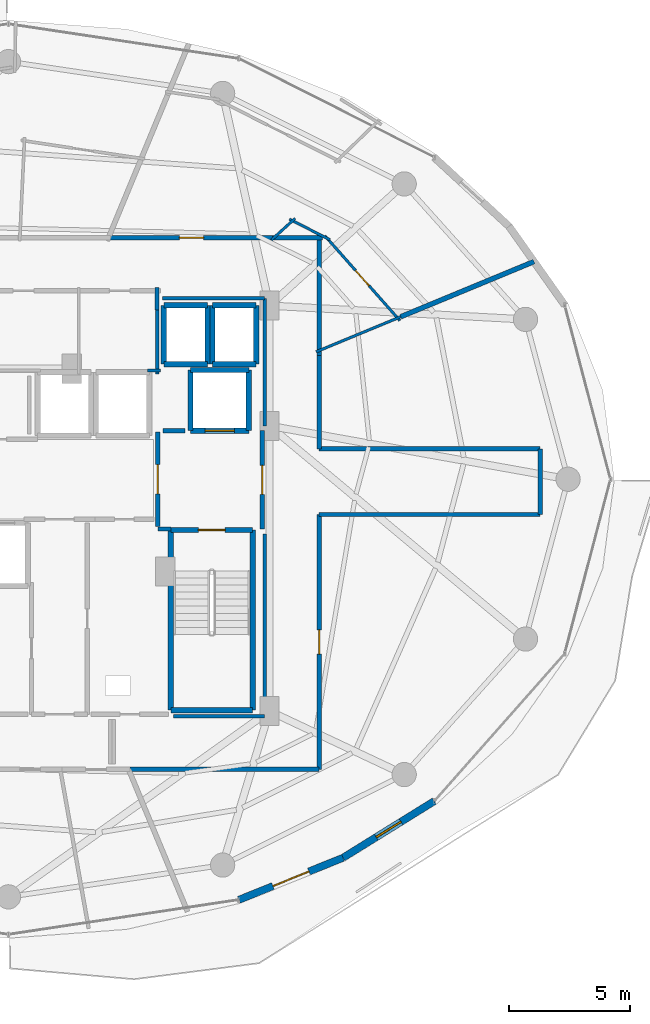
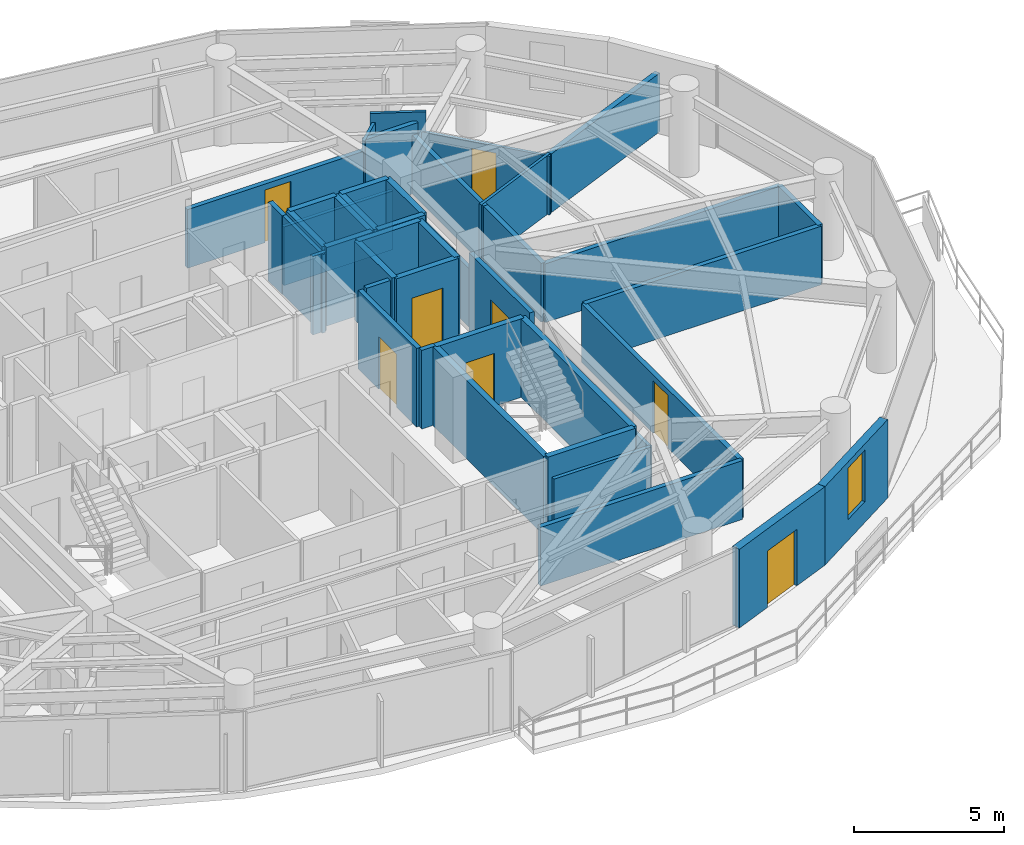
# One storey, part 24 of 29: 43 walls, 8 doors, 1 window, 9 openings.
"""IFC4 building model written with IfcOpenShell, lengths in metres."""

from ifc_helpers import new_model, si_unit, direction, frame, frame_2d, origin, place, context, subcontext, project, spatial, rectangle, extrude, material, layer, layer_set, type_object, element, fill, save


model = new_model("IFC4")

# Units and contexts
model_context = context("Model", 3, precision=1e-05, world=origin(), true_north=direction((0.0, 1.0)))
body_context = subcontext(model_context, "Body", "Model", "MODEL_VIEW")
ifc_project = project(units=[si_unit("LENGTHUNIT", "METRE"), si_unit("AREAUNIT", "SQUARE_METRE"), si_unit("VOLUMEUNIT", "CUBIC_METRE"), si_unit("PLANEANGLEUNIT", "RADIAN"), si_unit("MASSUNIT", "GRAM", prefix="KILO")], contexts=[model_context])

# Site, building, storey
site_placement = place(None, origin())
site = spatial("IfcSite", under=ifc_project, at=site_placement, CompositionType="ELEMENT")
building_placement = place(site_placement, origin())
building = spatial("IfcBuilding", under=site, at=building_placement, Name="Vorneva Point Tower", CompositionType="ELEMENT")
storey_placement = place(building_placement, frame((0.0, 0.0, 171.10009765625)))
storey = spatial("IfcBuildingStorey", under=building, at=storey_placement, Name="L46", CompositionType="ELEMENT", Elevation=171.10009765625)

# Wall, opening, door
ifc_material_1 = material(Name="Concrete B60 (C50/60)", Category="concrete")
ifc_layer_1 = layer(ifc_material_1, 0.5)
ifc_layer_set_1 = layer_set([ifc_layer_1], Name="Concrete B60 (C50/60)")
wall_type_1 = type_object("IfcWallType", Name="WL-CORE-500", PredefinedType="SHEAR", material=ifc_layer_set_1)
wall_1_placement = place(storey_placement, frame((45.5, 28.0, 0.0), z_axis=(0.0, 0.0, 1.0), x_axis=(1.0, 0.0, 0.0)))
wall_1 = element("IfcWall", 1, at=wall_1_placement, inside=storey, type_object=wall_type_1, Name="L46 Lift FFL2 Shaft Wall -Y", PredefinedType="SHEAR", context=body_context, shape_type="SweptSolid", body=[
    extrude(rectangle(XDim=2.39990234375, YDim=0.219970703125, at=frame_2d((1.199951171875, 0.0))), origin(), (0.0, 0.0, 1.0), 3.199951171875),
])
opening_1_placement = place(wall_1_placement, frame((0.60009765625, 0.0, 0.0)))
opening_1 = element("IfcOpeningElement", 2, at=opening_1_placement, cuts=wall_1, Name="Opening LD-02", PredefinedType="OPENING", context=body_context, shape_type="SweptSolid", body=[
    extrude(rectangle(XDim=1.199951171875, YDim=2.199951171875, at=frame_2d((0.60009765625, 1.10009765625))), frame((0.0, 0.125, 0.0), z_axis=(0.0, -1.0, 0.0), x_axis=(1.0, 0.0, 0.0)), (0.0, 0.0, 1.0), 0.249755859375),
])
ifc_material_2 = material(Name="Brushed stainless steel S304", Category="steel")
door_type_1 = type_object("IfcDoorType", Name="LD-FIRE-1200", OperationType="SLIDING_TO_LEFT", PredefinedType="DOOR", material=ifc_material_2)
door_1_placement = place(opening_1_placement, origin())
door_1 = element("IfcDoor", 3, at=door_1_placement, inside=storey, type_object=door_type_1, Name="L46 Lift FFL2 Sliding Landing Door", OperationType="SLIDING_TO_LEFT", OverallHeight=2.199951171875, OverallWidth=1.199951171875, PredefinedType="DOOR", context=body_context, shape_type="SweptSolid", body=[
    extrude(rectangle(XDim=1.199951171875, YDim=2.199951171875, at=frame_2d((0.60009765625, 1.10009765625))), frame((0.0, 0.02490234375, 0.0), z_axis=(0.0, -1.0, 0.0), x_axis=(1.0, 0.0, 0.0)), (0.0, 0.0, 1.0), 0.050048828125),
])
fill(opening_1, door_1)

# Walls
wall_2_placement = place(storey_placement, frame((47.89990234375, 28.0, 0.0), z_axis=(0.0, 0.0, 1.0), x_axis=(0.0, 1.0, 0.0)))
element("IfcWall", 4, at=wall_2_placement, inside=storey, type_object=wall_type_1, Name="L46 Lift FFL2 Shaft Wall +X", PredefinedType="SHEAR", context=body_context, shape_type="SweptSolid", body=[
    extrude(rectangle(XDim=2.5, YDim=0.219970703125, at=frame_2d((1.25, 0.0))), origin(), (0.0, 0.0, 1.0), 3.199951171875),
])
wall_3_placement = place(storey_placement, frame((47.89990234375, 30.5, 0.0), z_axis=(0.0, 0.0, 1.0), x_axis=(-1.0, 0.0, 0.0)))
element("IfcWall", 5, at=wall_3_placement, inside=storey, type_object=wall_type_1, Name="L46 Lift FFL2 Shaft Wall +Y", PredefinedType="SHEAR", context=body_context, shape_type="SweptSolid", body=[
    extrude(rectangle(XDim=2.39990234375, YDim=0.219970703125, at=frame_2d((1.199951171875, 0.0))), origin(), (0.0, 0.0, 1.0), 3.199951171875),
])
wall_4_placement = place(storey_placement, frame((45.5, 30.5, 0.0), z_axis=(0.0, 0.0, 1.0), x_axis=(0.0, -1.0, 0.0)))
element("IfcWall", 6, at=wall_4_placement, inside=storey, type_object=wall_type_1, Name="L46 Lift FFL2 Shaft Wall -X", PredefinedType="SHEAR", context=body_context, shape_type="SweptSolid", body=[
    extrude(rectangle(XDim=2.5, YDim=0.219970703125, at=frame_2d((1.25, 0.0))), origin(), (0.0, 0.0, 1.0), 3.199951171875),
])

# Wall, opening, door
ifc_material_3 = material(Name="Precast concrete B50 (C40/50)", Category="concrete")
ifc_layer_2 = layer(ifc_material_3, 0.300048828125)
ifc_layer_set_2 = layer_set([ifc_layer_2], Name="Precast concrete B50 (C40/50)")
wall_type_2 = type_object("IfcWallType", Name="WL-EXT-300", PredefinedType="STANDARD", material=ifc_layer_set_2)
wall_5_placement = place(storey_placement, frame((47.490478515625, 8.67724609375, 0.0), z_axis=(0.0, 0.0, 1.0), x_axis=(0.927156504392, 0.374674280359, 0.0)))
wall_5 = element("IfcWall", 7, at=wall_5_placement, inside=storey, type_object=wall_type_2, Name="L46 Pale-Metal Facade Spandrel Wall 14.1", PredefinedType="STANDARD", context=body_context, shape_type="SweptSolid", body=[
    extrude(rectangle(XDim=4.62451171875, YDim=0.300048828125, at=frame_2d((2.312255859375, 0.0))), origin(), (0.0, 0.0, 1.0), 3.199951171875),
])
opening_2_placement = place(wall_5_placement, frame((1.51220703125, 0.0, 0.0)))
opening_2 = element("IfcOpeningElement", 8, at=opening_2_placement, cuts=wall_5, Name="Opening BD-01", PredefinedType="OPENING", context=body_context, shape_type="SweptSolid", body=[
    extrude(rectangle(XDim=1.60009765625, YDim=2.300048828125, at=frame_2d((0.800048828125, 1.14990234375))), frame((0.0, 0.1650390625, 0.0), z_axis=(0.0, -1.0, 0.0), x_axis=(1.0, 0.0, 0.0)), (0.0, 0.0, 1.0), 0.329833984375),
])
ifc_material_4 = material(Name="Pale anodised aluminium", Category="aluminium")
door_type_2 = type_object("IfcDoorType", Name="DR-BAL-1600", OperationType="SLIDING_TO_LEFT", PredefinedType="DOOR", material=ifc_material_4)
door_2_placement = place(opening_2_placement, origin())
door_2 = element("IfcDoor", 9, at=door_2_placement, inside=storey, type_object=door_type_2, Name="L46 Balcony Terrace Access Door 14", OperationType="SLIDING_TO_LEFT", OverallHeight=2.300048828125, OverallWidth=1.60009765625, PredefinedType="DOOR", context=body_context, shape_type="SweptSolid", body=[
    extrude(rectangle(XDim=1.60009765625, YDim=2.300048828125, at=frame_2d((0.800048828125, 1.14990234375))), frame((0.0, 0.02490234375, 0.0), z_axis=(0.0, -1.0, 0.0), x_axis=(1.0, 0.0, 0.0)), (0.0, 0.0, 1.0), 0.050048828125),
])
fill(opening_2, door_2)

# Wall, opening, window
wall_6_placement = place(storey_placement, frame((51.778076171875, 10.409912109375, 0.0), z_axis=(0.0, 0.0, 1.0), x_axis=(0.849721181976, 0.527232313977, 0.0)))
wall_6 = element("IfcWall", 10, at=wall_6_placement, inside=storey, type_object=wall_type_2, Name="L46 Pale-Metal Facade Spandrel Wall 14.2", PredefinedType="STANDARD", context=body_context, shape_type="SweptSolid", body=[
    extrude(rectangle(XDim=4.422607421875, YDim=0.300048828125, at=frame_2d((2.21142578125, 0.0))), origin(), (0.0, 0.0, 1.0), 3.199951171875),
])
opening_3_placement = place(wall_6_placement, frame((1.611328125, 0.0, 0.85009765625)))
opening_3 = element("IfcOpeningElement", 11, at=opening_3_placement, cuts=wall_6, Name="Opening W-04", PredefinedType="OPENING", context=body_context, shape_type="SweptSolid", body=[
    extrude(rectangle(XDim=1.199951171875, YDim=2.10009765625, at=frame_2d((0.60009765625, 1.050048828125))), frame((0.0, 0.1650390625, 0.0), z_axis=(0.0, -1.0, 0.0), x_axis=(1.0, 0.0, 0.0)), (0.0, 0.0, 1.0), 0.329833984375),
])
ifc_material_5 = material(Name="Double low-e laminated glass IGU", Category="glass")
window_type = type_object("IfcWindowType", Name="WN-RES-1200", PartitioningType="SINGLE_PANEL", PredefinedType="WINDOW", material=ifc_material_5)
window_placement = place(opening_3_placement, origin())
window = element("IfcWindow", 12, at=window_placement, inside=storey, type_object=window_type, Name="L46 Facade Window 14", OverallHeight=2.10009765625, OverallWidth=1.199951171875, PartitioningType="SINGLE_PANEL", PredefinedType="WINDOW", context=body_context, shape_type="SweptSolid", body=[
    extrude(rectangle(XDim=1.199951171875, YDim=2.10009765625, at=frame_2d((0.60009765625, 1.050048828125))), frame((0.0, 0.030029296875, 0.0), z_axis=(0.0, -1.0, 0.0), x_axis=(1.0, 0.0, 0.0)), (0.0, 0.0, 1.0), 0.06005859375),
])
fill(opening_3, window)

# Walls
ifc_material_6 = material(Name="Fire-rated acoustic gypsum stud partition", Category="gypsum")
ifc_layer_3 = layer(ifc_material_6, 0.110107421875)
ifc_layer_set_3 = layer_set([ifc_layer_3], Name="Fire-rated acoustic gypsum stud partition")
wall_type_3 = type_object("IfcWallType", Name="WL-PART-110", PredefinedType="PARTITIONING", material=ifc_layer_set_3)
wall_7_placement = place(storey_placement, frame((48.831298828125, 35.855712890625, 0.0), z_axis=(0.0, 0.0, 1.0), x_axis=(0.739696022243, 0.672941152463, 0.0)))
element("IfcWall", 13, at=wall_7_placement, inside=storey, type_object=wall_type_3, Name="L46 Interior Partition 058", PredefinedType="PARTITIONING", context=body_context, shape_type="SweptSolid", body=[
    extrude(rectangle(XDim=1.31298828125, YDim=0.110107421875, at=frame_2d((0.656494140625, 0.0))), origin(), (0.0, 0.0, 1.0), 2.833984375),
])
wall_8_placement = place(storey_placement, frame((49.573974609375, 36.7080078125, 0.0), z_axis=(0.0, 0.0, 1.0), x_axis=(0.8925722309, -0.450904438464, 0.0)))
element("IfcWall", 14, at=wall_8_placement, inside=storey, type_object=wall_type_3, Name="L46 Interior Partition 059", PredefinedType="PARTITIONING", context=body_context, shape_type="SweptSolid", body=[
    extrude(rectangle(XDim=1.876708984375, YDim=0.110107421875, at=frame_2d((0.9384765625, 0.0))), origin(), (0.0, 0.0, 1.0), 3.199951171875),
])

# Wall, opening, door
wall_9_placement = place(storey_placement, frame((51.03125, 36.02978515625, 0.0), z_axis=(0.0, 0.0, 1.0), x_axis=(0.662223763999, -0.749306136632, 0.0)))
wall_9 = element("IfcWall", 15, at=wall_9_placement, inside=storey, type_object=wall_type_3, Name="L46 Interior Partition 060", PredefinedType="PARTITIONING", context=body_context, shape_type="SweptSolid", body=[
    extrude(rectangle(XDim=4.6650390625, YDim=0.110107421875, at=frame_2d((2.33251953125, 0.0))), origin(), (0.0, 0.0, 1.0), 2.391845703125),
])
opening_4_placement = place(wall_9_placement, frame((1.90771484375, 0.0, 0.0)))
opening_4 = element("IfcOpeningElement", 16, at=opening_4_placement, cuts=wall_9, Name="Opening ID-02", PredefinedType="OPENING", context=body_context, shape_type="SweptSolid", body=[
    extrude(rectangle(XDim=0.85009765625, YDim=2.10009765625, at=frame_2d((0.425048828125, 1.050048828125))), frame((0.0, 0.06982421875, 0.0), z_axis=(0.0, -1.0, 0.0), x_axis=(1.0, 0.0, 0.0)), (0.0, 0.0, 1.0), 0.139892578125),
])
ifc_material_7 = material(Name="Engineered oak fire-rated door leaf", Category="wood")
door_type_3 = type_object("IfcDoorType", Name="DR-BATH-850", OperationType="NOTDEFINED", PredefinedType="DOOR", material=ifc_material_7)
door_3_placement = place(opening_4_placement, origin())
door_3 = element("IfcDoor", 17, at=door_3_placement, inside=storey, type_object=door_type_3, Name="L46 Door Studio Apartment L46-01 / Bathroom L46-01", OperationType="SINGLE_SWING_RIGHT", OverallHeight=2.10009765625, OverallWidth=0.85009765625, PredefinedType="DOOR", context=body_context, shape_type="SweptSolid", body=[
    extrude(rectangle(XDim=0.85009765625, YDim=2.10009765625, at=frame_2d((0.425048828125, 1.050048828125))), frame((0.0, 0.02490234375, 0.0), z_axis=(0.0, -1.0, 0.0), x_axis=(1.0, 0.0, 0.0)), (0.0, 0.0, 1.0), 0.050048828125),
])
fill(opening_4, door_3)

# Walls
wall_10_placement = place(storey_placement, frame((54.1572265625, 32.692626953125, 0.0), z_axis=(0.0, 0.0, 1.0), x_axis=(-0.923865440054, -0.382717452795, 0.0)))
element("IfcWall", 18, at=wall_10_placement, inside=storey, type_object=wall_type_3, Name="L46 Interior Partition 061", PredefinedType="PARTITIONING", context=body_context, shape_type="SweptSolid", body=[
    extrude(rectangle(XDim=3.77392578125, YDim=0.110107421875, at=frame_2d((1.886962890625, 0.0))), origin(), (0.0, 0.0, 1.0), 2.391845703125),
])
ifc_layer_4 = layer(ifc_material_6, 0.139892578125)
ifc_layer_set_4 = layer_set([ifc_layer_4], Name="Fire-rated acoustic gypsum stud partition")
wall_type_4 = type_object("IfcWallType", Name="WL-PART-140", PredefinedType="PARTITIONING", material=ifc_layer_set_4)
wall_11_placement = place(storey_placement, frame((43.735107421875, 30.47998046875, 0.0), z_axis=(0.0, 0.0, 1.0), x_axis=(1.0, 0.0, 0.0)))
element("IfcWall", 19, at=wall_11_placement, inside=storey, type_object=wall_type_4, Name="L46 Interior Closure Partition 115", PredefinedType="PARTITIONING", context=body_context, shape_type="SweptSolid", body=[
    extrude(rectangle(XDim=0.52490234375, YDim=0.139892578125, at=frame_2d((0.262451171875, 0.0))), origin(), (0.0, 0.0, 1.0), 3.199951171875),
])
wall_12_placement = place(storey_placement, frame((44.1201171875, 30.340087890625, 0.0), z_axis=(0.0, 0.0, 1.0), x_axis=(0.0, 1.0, 0.0)))
element("IfcWall", 20, at=wall_12_placement, inside=storey, type_object=wall_type_4, Name="L46 Interior Closure Partition 116", PredefinedType="PARTITIONING", context=body_context, shape_type="SweptSolid", body=[
    extrude(rectangle(XDim=2.659912109375, YDim=0.139892578125, at=frame_2d((1.330078125, 0.0))), origin(), (0.0, 0.0, 1.0), 3.199951171875),
])
wall_13_placement = place(storey_placement, frame((48.550048828125, 16.239990234375, 0.0), z_axis=(0.0, 0.0, 1.0), x_axis=(0.0, 1.0, 0.0)))
element("IfcWall", 21, at=wall_13_placement, inside=storey, type_object=wall_type_4, Name="L46 Interior Closure Partition 123", PredefinedType="PARTITIONING", context=body_context, shape_type="SweptSolid", body=[
    extrude(rectangle(XDim=7.513916015625, YDim=0.139892578125, at=frame_2d((3.7568359375, 0.0))), origin(), (0.0, 0.0, 1.0), 2.391845703125),
])
wall_14_placement = place(storey_placement, frame((48.550048828125, 28.196044921875, 0.0), z_axis=(0.0, 0.0, 1.0), x_axis=(0.0, 1.0, 0.0)))
element("IfcWall", 22, at=wall_14_placement, inside=storey, type_object=wall_type_4, Name="L46 Interior Closure Partition 124", PredefinedType="PARTITIONING", context=body_context, shape_type="SweptSolid", body=[
    extrude(rectangle(XDim=5.25390625, YDim=0.139892578125, at=frame_2d((2.626953125, 0.0))), origin(), (0.0, 0.0, 1.0), 2.391845703125),
])
wall_15_placement = place(storey_placement, frame((48.550048828125, 33.449951171875, 0.0), z_axis=(0.0, 0.0, 1.0), x_axis=(-1.0, 0.0, 0.0)))
element("IfcWall", 23, at=wall_15_placement, inside=storey, type_object=wall_type_4, Name="L46 Interior Closure Partition 125", PredefinedType="PARTITIONING", context=body_context, shape_type="SweptSolid", body=[
    extrude(rectangle(XDim=4.2099609375, YDim=0.139892578125, at=frame_2d((2.10498046875, 0.0))), origin(), (0.0, 0.0, 1.0), 2.391845703125),
])
wall_16_placement = place(storey_placement, frame((44.804931640625, 16.239990234375, 0.0), z_axis=(0.0, 0.0, 1.0), x_axis=(1.0, 0.0, 0.0)))
element("IfcWall", 24, at=wall_16_placement, inside=storey, type_object=wall_type_4, Name="L46 Interior Closure Partition 133", PredefinedType="PARTITIONING", context=body_context, shape_type="SweptSolid", body=[
    extrude(rectangle(XDim=3.7451171875, YDim=0.139892578125, at=frame_2d((1.87255859375, 0.0))), origin(), (0.0, 0.0, 1.0), 2.391845703125),
])

# Wall, opening, door
ifc_material_8 = material(Name="Autoclaved aerated concrete blockwork", Category="masonry")
ifc_layer_5 = layer(ifc_material_8, 0.179931640625)
ifc_layer_set_5 = layer_set([ifc_layer_5], Name="Autoclaved aerated concrete blockwork")
wall_type_5 = type_object("IfcWallType", Name="WL-PART-180", PredefinedType="PARTITIONING", material=ifc_layer_set_5)
wall_17_placement = place(storey_placement, frame((44.14990234375, 27.955078125, 0.0), z_axis=(0.0, 0.0, 1.0), x_axis=(0.0, -1.0, 0.0)))
wall_17 = element("IfcWall", 25, at=wall_17_placement, inside=storey, type_object=wall_type_5, Name="L46 Interior Partition 003", PredefinedType="PARTITIONING", context=body_context, shape_type="SweptSolid", body=[
    extrude(rectangle(XDim=3.91015625, YDim=0.179931640625, at=frame_2d((1.955078125, 0.0))), origin(), (0.0, 0.0, 1.0), 3.199951171875),
])
opening_5_placement = place(wall_17_placement, frame((1.35498046875, 0.0, 0.0)))
opening_5 = element("IfcOpeningElement", 26, at=opening_5_placement, cuts=wall_17, Name="Opening FD-02", PredefinedType="OPENING", context=body_context, shape_type="SweptSolid", body=[
    extrude(rectangle(XDim=1.199951171875, YDim=2.14990234375, at=frame_2d((0.60009765625, 1.074951171875))), frame((0.0, 0.10498046875, 0.0), z_axis=(0.0, -1.0, 0.0), x_axis=(1.0, 0.0, 0.0)), (0.0, 0.0, 1.0), 0.209716796875),
])
ifc_material_9 = material(Name="Fire-rated powder-coated steel", Category="steel")
door_type_4 = type_object("IfcDoorType", Name="DR-FFL-1200", OperationType="NOTDEFINED", PredefinedType="DOOR", material=ifc_material_9)
door_4_placement = place(opening_5_placement, origin())
door_4 = element("IfcDoor", 27, at=door_4_placement, inside=storey, type_object=door_type_4, Name="L46 Door East Firefighting Lobby / Central Lift Lobby", OperationType="SINGLE_SWING_RIGHT", OverallHeight=2.14990234375, OverallWidth=1.199951171875, PredefinedType="DOOR", context=body_context, shape_type="SweptSolid", body=[
    extrude(rectangle(XDim=1.199951171875, YDim=2.14990234375, at=frame_2d((0.60009765625, 1.074951171875))), frame((0.0, 0.02490234375, 0.0), z_axis=(0.0, -1.0, 0.0), x_axis=(1.0, 0.0, 0.0)), (0.0, 0.0, 1.0), 0.050048828125),
])
fill(opening_5, door_4)

# Wall
wall_18_placement = place(storey_placement, frame((44.14990234375, 23.949951171875, 0.0), z_axis=(0.0, 0.0, 1.0), x_axis=(1.0, 0.0, 0.0)))
element("IfcWall", 28, at=wall_18_placement, inside=storey, type_object=wall_type_5, Name="L46 Interior Partition 004", PredefinedType="PARTITIONING", context=body_context, shape_type="SweptSolid", body=[
    extrude(rectangle(XDim=0.5400390625, YDim=0.179931640625, at=frame_2d((0.27001953125, 0.0))), origin(), (0.0, 0.0, 1.0), 3.199951171875),
])

# Wall, opening, door
wall_19_placement = place(storey_placement, frame((48.449951171875, 23.949951171875, 0.0), z_axis=(0.0, 0.0, 1.0), x_axis=(0.0, 1.0, 0.0)))
wall_19 = element("IfcWall", 29, at=wall_19_placement, inside=storey, type_object=wall_type_5, Name="L46 Interior Partition 005", PredefinedType="PARTITIONING", context=body_context, shape_type="SweptSolid", body=[
    extrude(rectangle(XDim=4.050048828125, YDim=0.179931640625, at=frame_2d((2.02490234375, 0.0))), origin(), (0.0, 0.0, 1.0), 3.199951171875),
])
opening_6_placement = place(wall_19_placement, frame((1.425048828125, 0.0, 0.0)))
opening_6 = element("IfcOpeningElement", 30, at=opening_6_placement, cuts=wall_19, Name="Opening FD-02", PredefinedType="OPENING", context=body_context, shape_type="SweptSolid", body=[
    extrude(rectangle(XDim=1.199951171875, YDim=2.14990234375, at=frame_2d((0.60009765625, 1.074951171875))), frame((0.0, 0.10498046875, 0.0), z_axis=(0.0, -1.0, 0.0), x_axis=(1.0, 0.0, 0.0)), (0.0, 0.0, 1.0), 0.209716796875),
])
door_5_placement = place(opening_6_placement, origin())
door_5 = element("IfcDoor", 31, at=door_5_placement, inside=storey, type_object=door_type_4, Name="L46 Door East Firefighting Lobby / L46 Circulation Corridor", OperationType="SINGLE_SWING_LEFT", OverallHeight=2.14990234375, OverallWidth=1.199951171875, PredefinedType="DOOR", context=body_context, shape_type="SweptSolid", body=[
    extrude(rectangle(XDim=1.199951171875, YDim=2.14990234375, at=frame_2d((0.60009765625, 1.074951171875))), frame((0.0, 0.02490234375, 0.0), z_axis=(0.0, -1.0, 0.0), x_axis=(1.0, 0.0, 0.0)), (0.0, 0.0, 1.0), 0.050048828125),
])
fill(opening_6, door_5)

# Wall
wall_20_placement = place(storey_placement, frame((44.1201171875, 32.969970703125, 0.0), z_axis=(0.0, 0.0, 1.0), x_axis=(0.0, 1.0, 0.0)))
element("IfcWall", 32, at=wall_20_placement, inside=storey, type_object=wall_type_5, Name="L46 Interior Partition 025", PredefinedType="PARTITIONING", context=body_context, shape_type="SweptSolid", body=[
    extrude(rectangle(XDim=0.929931640625, YDim=0.179931640625, at=frame_2d((0.46484375, 0.0))), origin(), (0.0, 0.0, 1.0), 3.199951171875),
])

# Wall, opening, door
wall_21_placement = place(storey_placement, frame((49.02392578125, 35.949951171875, 0.0), z_axis=(0.0, 0.0, 1.0), x_axis=(-1.0, 0.0, 0.0)))
wall_21 = element("IfcWall", 33, at=wall_21_placement, inside=storey, type_object=wall_type_5, Name="L46 Interior Partition 029", PredefinedType="PARTITIONING", context=body_context, shape_type="SweptSolid", body=[
    extrude(rectangle(XDim=6.962890625, YDim=0.179931640625, at=frame_2d((3.4814453125, 0.0))), origin(), (0.0, 0.0, 1.0), 2.391845703125),
])
opening_7_placement = place(wall_21_placement, frame((2.9814453125, 0.0, 0.0)))
opening_7 = element("IfcOpeningElement", 34, at=opening_7_placement, cuts=wall_21, Name="Opening UD-01", PredefinedType="OPENING", context=body_context, shape_type="SweptSolid", body=[
    extrude(rectangle(XDim=1.0, YDim=2.14990234375, at=frame_2d((0.5, 1.074951171875))), frame((0.0, 0.10498046875, 0.0), z_axis=(0.0, -1.0, 0.0), x_axis=(1.0, 0.0, 0.0)), (0.0, 0.0, 1.0), 0.209716796875),
])
door_type_5 = type_object("IfcDoorType", Name="DR-UNIT-1000", OperationType="NOTDEFINED", PredefinedType="DOOR", material=ifc_material_7)
door_6_placement = place(opening_7_placement, origin())
door_6 = element("IfcDoor", 35, at=door_6_placement, inside=storey, type_object=door_type_5, Name="L46 Door L46 Circulation Corridor / Studio Apartment L46-01", OperationType="SINGLE_SWING_RIGHT", OverallHeight=2.14990234375, OverallWidth=1.0, PredefinedType="DOOR", context=body_context, shape_type="SweptSolid", body=[
    extrude(rectangle(XDim=1.0, YDim=2.14990234375, at=frame_2d((0.5, 1.074951171875))), frame((0.0, 0.02490234375, 0.0), z_axis=(0.0, -1.0, 0.0), x_axis=(1.0, 0.0, 0.0)), (0.0, 0.0, 1.0), 0.050048828125),
])
fill(opening_7, door_6)

# Walls
wall_22_placement = place(storey_placement, frame((50.800048828125, 31.10205078125, 0.0), z_axis=(0.0, 0.0, 1.0), x_axis=(0.0, 1.0, 0.0)))
element("IfcWall", 36, at=wall_22_placement, inside=storey, type_object=wall_type_5, Name="L46 Interior Partition 030", PredefinedType="PARTITIONING", context=body_context, shape_type="SweptSolid", body=[
    extrude(rectangle(XDim=4.988037109375, YDim=0.179931640625, at=frame_2d((2.494140625, 0.0))), origin(), (0.0, 0.0, 1.0), 2.391845703125),
])
wall_23_placement = place(storey_placement, frame((50.93994140625, 35.949951171875, 0.0), z_axis=(0.0, 0.0, 1.0), x_axis=(-1.0, 0.0, 0.0)))
element("IfcWall", 37, at=wall_23_placement, inside=storey, type_object=wall_type_5, Name="L46 Interior Partition 031", PredefinedType="PARTITIONING", context=body_context, shape_type="SweptSolid", body=[
    extrude(rectangle(XDim=2.055908203125, YDim=0.179931640625, at=frame_2d((1.02783203125, 0.0))), origin(), (0.0, 0.0, 1.0), 2.833984375),
])
wall_24_placement = place(storey_placement, frame((43.014892578125, 14.050048828125, 0.0), z_axis=(0.0, 0.0, 1.0), x_axis=(1.0, 0.0, 0.0)))
element("IfcWall", 38, at=wall_24_placement, inside=storey, type_object=wall_type_5, Name="L46 Interior Partition 052", PredefinedType="PARTITIONING", context=body_context, shape_type="SweptSolid", body=[
    extrude(rectangle(XDim=7.78515625, YDim=0.179931640625, at=frame_2d((3.892578125, 0.0))), origin(), (0.0, 0.0, 1.0), 2.391845703125),
])

# Wall, opening, door
wall_25_placement = place(storey_placement, frame((50.800048828125, 14.050048828125, 0.0), z_axis=(0.0, 0.0, 1.0), x_axis=(0.0, 1.0, 0.0)))
wall_25 = element("IfcWall", 39, at=wall_25_placement, inside=storey, type_object=wall_type_5, Name="L46 Interior Partition 053", PredefinedType="PARTITIONING", context=body_context, shape_type="SweptSolid", body=[
    extrude(rectangle(XDim=10.5, YDim=0.179931640625, at=frame_2d((5.25, 0.0))), origin(), (0.0, 0.0, 1.0), 2.391845703125),
])
opening_8_placement = place(wall_25_placement, frame((4.75, 0.0, 0.0)))
opening_8 = element("IfcOpeningElement", 40, at=opening_8_placement, cuts=wall_25, Name="Opening UD-01", PredefinedType="OPENING", context=body_context, shape_type="SweptSolid", body=[
    extrude(rectangle(XDim=1.0, YDim=2.14990234375, at=frame_2d((0.5, 1.074951171875))), frame((0.0, 0.10498046875, 0.0), z_axis=(0.0, -1.0, 0.0), x_axis=(1.0, 0.0, 0.0)), (0.0, 0.0, 1.0), 0.209716796875),
])
door_7_placement = place(opening_8_placement, origin())
door_7 = element("IfcDoor", 41, at=door_7_placement, inside=storey, type_object=door_type_5, Name="L46 Door L46 Circulation Corridor / Residents Fitness Studio L46-06", OperationType="SINGLE_SWING_LEFT", OverallHeight=2.14990234375, OverallWidth=1.0, PredefinedType="DOOR", context=body_context, shape_type="SweptSolid", body=[
    extrude(rectangle(XDim=1.0, YDim=2.14990234375, at=frame_2d((0.5, 1.074951171875))), frame((0.0, 0.02490234375, 0.0), z_axis=(0.0, -1.0, 0.0), x_axis=(1.0, 0.0, 0.0)), (0.0, 0.0, 1.0), 0.050048828125),
])
fill(opening_8, door_7)

# Walls
wall_26_placement = place(storey_placement, frame((50.800048828125, 24.550048828125, 0.0), z_axis=(0.0, 0.0, 1.0), x_axis=(1.0, 0.0, 0.0)))
element("IfcWall", 42, at=wall_26_placement, inside=storey, type_object=wall_type_5, Name="L46 Interior Partition 054", PredefinedType="PARTITIONING", context=body_context, shape_type="SweptSolid", body=[
    extrude(rectangle(XDim=9.099853515625, YDim=0.179931640625, at=frame_2d((4.5498046875, 0.0))), origin(), (0.0, 0.0, 1.0), 2.391845703125),
])
wall_27_placement = place(storey_placement, frame((59.89990234375, 24.550048828125, 0.0), z_axis=(0.0, 0.0, 1.0), x_axis=(0.0, 1.0, 0.0)))
element("IfcWall", 43, at=wall_27_placement, inside=storey, type_object=wall_type_5, Name="L46 Interior Partition 055", PredefinedType="PARTITIONING", context=body_context, shape_type="SweptSolid", body=[
    extrude(rectangle(XDim=2.699951171875, YDim=0.179931640625, at=frame_2d((1.35009765625, 0.0))), origin(), (0.0, 0.0, 1.0), 2.391845703125),
])
wall_28_placement = place(storey_placement, frame((59.89990234375, 27.25, 0.0), z_axis=(0.0, 0.0, 1.0), x_axis=(-1.0, 0.0, 0.0)))
element("IfcWall", 44, at=wall_28_placement, inside=storey, type_object=wall_type_5, Name="L46 Interior Partition 056", PredefinedType="PARTITIONING", context=body_context, shape_type="SweptSolid", body=[
    extrude(rectangle(XDim=9.099853515625, YDim=0.179931640625, at=frame_2d((4.5498046875, 0.0))), origin(), (0.0, 0.0, 1.0), 2.391845703125),
])
wall_29_placement = place(storey_placement, frame((50.800048828125, 27.25, 0.0), z_axis=(0.0, 0.0, 1.0), x_axis=(0.0, 1.0, 0.0)))
element("IfcWall", 45, at=wall_29_placement, inside=storey, type_object=wall_type_5, Name="L46 Interior Partition 057", PredefinedType="PARTITIONING", context=body_context, shape_type="SweptSolid", body=[
    extrude(rectangle(XDim=3.85205078125, YDim=0.179931640625, at=frame_2d((1.926025390625, 0.0))), origin(), (0.0, 0.0, 1.0), 2.391845703125),
])
wall_30_placement = place(storey_placement, frame((45.280029296875, 28.0, 0.0), z_axis=(0.0, 0.0, 1.0), x_axis=(-1.0, 0.0, 0.0)))
element("IfcWall", 46, at=wall_30_placement, inside=storey, type_object=wall_type_5, Name="L46 Interior Closure Partition 112", PredefinedType="PARTITIONING", context=body_context, shape_type="SweptSolid", body=[
    extrude(rectangle(XDim=0.9150390625, YDim=0.179931640625, at=frame_2d((0.45751953125, 0.0))), origin(), (0.0, 0.0, 1.0), 3.199951171875),
])
ifc_layer_6 = layer(ifc_material_8, 0.199951171875)
ifc_layer_set_6 = layer_set([ifc_layer_6], Name="Autoclaved aerated concrete blockwork")
wall_type_6 = type_object("IfcWallType", Name="WL-PART-200", PredefinedType="PARTITIONING", material=ifc_layer_set_6)
wall_31_placement = place(storey_placement, frame((54.157470703125, 32.6923828125, 0.0), z_axis=(0.0, 0.0, 1.0), x_axis=(0.923898107484, 0.382638585335, 0.0)))
element("IfcWall", 47, at=wall_31_placement, inside=storey, type_object=wall_type_6, Name="L46 Interior Partition 068", PredefinedType="PARTITIONING", context=body_context, shape_type="SweptSolid", body=[
    extrude(rectangle(XDim=5.939453125, YDim=0.199951171875, at=frame_2d((2.9697265625, 0.0))), origin(), (0.0, 0.0, 1.0), 2.391845703125),
])

# Wall, opening, door
ifc_material_10 = material(Name="Concrete B50 (C40/50)", Category="concrete")
ifc_layer_7 = layer(ifc_material_10, 0.219970703125)
ifc_layer_set_7 = layer_set([ifc_layer_7], Name="Concrete B50 (C40/50)")
wall_type_7 = type_object("IfcWallType", Name="WL-SHFT-220", PredefinedType="SOLIDWALL", material=ifc_layer_set_7)
wall_32_placement = place(storey_placement, frame((44.68994140625, 23.909912109375, 0.0), z_axis=(0.0, 0.0, 1.0), x_axis=(1.0, 0.0, 0.0)))
wall_32 = element("IfcWall", 48, at=wall_32_placement, inside=storey, type_object=wall_type_7, Name="L46 Exit Stair ST2 Shaft Wall near", PredefinedType="SOLIDWALL", context=body_context, shape_type="SweptSolid", body=[
    extrude(rectangle(XDim=3.3701171875, YDim=0.219970703125, at=frame_2d((1.68505859375, 0.0))), origin(), (0.0, 0.0, 1.0), 3.199951171875),
])
opening_9_placement = place(wall_32_placement, frame((1.135009765625, 0.0, 0.0)))
opening_9 = element("IfcOpeningElement", 49, at=opening_9_placement, cuts=wall_32, Name="Opening FD-01", PredefinedType="OPENING", context=body_context, shape_type="SweptSolid", body=[
    extrude(rectangle(XDim=1.10009765625, YDim=2.14990234375, at=frame_2d((0.550048828125, 1.074951171875))), frame((0.0, 0.125, 0.0), z_axis=(0.0, -1.0, 0.0), x_axis=(1.0, 0.0, 0.0)), (0.0, 0.0, 1.0), 0.249755859375),
])
door_type_6 = type_object("IfcDoorType", Name="DR-STAIR-1100", OperationType="NOTDEFINED", PredefinedType="DOOR", material=ifc_material_9)
door_8_placement = place(opening_9_placement, origin())
door_8 = element("IfcDoor", 50, at=door_8_placement, inside=storey, type_object=door_type_6, Name="L46 Exit Stair ST2 Fire Door", OperationType="SINGLE_SWING_LEFT", OverallHeight=2.14990234375, OverallWidth=1.10009765625, PredefinedType="DOOR", context=body_context, shape_type="SweptSolid", body=[
    extrude(rectangle(XDim=1.10009765625, YDim=2.14990234375, at=frame_2d((0.550048828125, 1.074951171875))), frame((0.0, 0.02490234375, 0.0), z_axis=(0.0, -1.0, 0.0), x_axis=(1.0, 0.0, 0.0)), (0.0, 0.0, 1.0), 0.050048828125),
])
fill(opening_9, door_8)

# Walls
wall_33_placement = place(storey_placement, frame((48.06005859375, 23.909912109375, 0.0), z_axis=(0.0, 0.0, 1.0), x_axis=(0.0, -1.0, 0.0)))
element("IfcWall", 51, at=wall_33_placement, inside=storey, type_object=wall_type_7, Name="L46 Exit Stair ST2 Shaft Wall right", PredefinedType="SOLIDWALL", context=body_context, shape_type="SweptSolid", body=[
    extrude(rectangle(XDim=7.419921875, YDim=0.219970703125, at=frame_2d((3.7099609375, 0.0))), origin(), (0.0, 0.0, 1.0), 3.199951171875),
])
wall_34_placement = place(storey_placement, frame((48.06005859375, 16.489990234375, 0.0), z_axis=(0.0, 0.0, 1.0), x_axis=(-1.0, 0.0, 0.0)))
element("IfcWall", 52, at=wall_34_placement, inside=storey, type_object=wall_type_7, Name="L46 Exit Stair ST2 Shaft Wall far", PredefinedType="SOLIDWALL", context=body_context, shape_type="SweptSolid", body=[
    extrude(rectangle(XDim=3.3701171875, YDim=0.219970703125, at=frame_2d((1.68505859375, 0.0))), origin(), (0.0, 0.0, 1.0), 3.199951171875),
])
wall_35_placement = place(storey_placement, frame((44.68994140625, 16.489990234375, 0.0), z_axis=(0.0, 0.0, 1.0), x_axis=(0.0, 1.0, 0.0)))
element("IfcWall", 53, at=wall_35_placement, inside=storey, type_object=wall_type_7, Name="L46 Exit Stair ST2 Shaft Wall left", PredefinedType="SOLIDWALL", context=body_context, shape_type="SweptSolid", body=[
    extrude(rectangle(XDim=7.419921875, YDim=0.219970703125, at=frame_2d((3.7099609375, 0.0))), origin(), (0.0, 0.0, 1.0), 3.199951171875),
])
wall_36_placement = place(storey_placement, frame((44.39990234375, 30.739990234375, 0.0), z_axis=(0.0, 0.0, 1.0), x_axis=(1.0, 0.0, 0.0)))
element("IfcWall", 54, at=wall_36_placement, inside=storey, type_object=wall_type_7, Name="L46 Lift EX1 Shaft Wall -Y", PredefinedType="SOLIDWALL", context=body_context, shape_type="SweptSolid", body=[
    extrude(rectangle(XDim=1.800048828125, YDim=0.219970703125, at=frame_2d((0.89990234375, 0.0))), origin(), (0.0, 0.0, 1.0), 3.199951171875),
])
wall_37_placement = place(storey_placement, frame((46.199951171875, 30.739990234375, 0.0), z_axis=(0.0, 0.0, 1.0), x_axis=(0.0, 1.0, 0.0)))
element("IfcWall", 55, at=wall_37_placement, inside=storey, type_object=wall_type_7, Name="L46 Lift EX1 Shaft Wall +X", PredefinedType="SOLIDWALL", context=body_context, shape_type="SweptSolid", body=[
    extrude(rectangle(XDim=2.419921875, YDim=0.219970703125, at=frame_2d((1.2099609375, 0.0))), origin(), (0.0, 0.0, 1.0), 3.199951171875),
])
wall_38_placement = place(storey_placement, frame((46.199951171875, 33.159912109375, 0.0), z_axis=(0.0, 0.0, 1.0), x_axis=(-1.0, 0.0, 0.0)))
element("IfcWall", 56, at=wall_38_placement, inside=storey, type_object=wall_type_7, Name="L46 Lift EX1 Shaft Wall +Y", PredefinedType="SOLIDWALL", context=body_context, shape_type="SweptSolid", body=[
    extrude(rectangle(XDim=1.800048828125, YDim=0.219970703125, at=frame_2d((0.89990234375, 0.0))), origin(), (0.0, 0.0, 1.0), 3.199951171875),
])
wall_39_placement = place(storey_placement, frame((44.39990234375, 33.159912109375, 0.0), z_axis=(0.0, 0.0, 1.0), x_axis=(0.0, -1.0, 0.0)))
element("IfcWall", 57, at=wall_39_placement, inside=storey, type_object=wall_type_7, Name="L46 Lift EX1 Shaft Wall -X", PredefinedType="SOLIDWALL", context=body_context, shape_type="SweptSolid", body=[
    extrude(rectangle(XDim=2.419921875, YDim=0.219970703125, at=frame_2d((1.2099609375, 0.0))), origin(), (0.0, 0.0, 1.0), 3.199951171875),
])
wall_40_placement = place(storey_placement, frame((46.39990234375, 30.739990234375, 0.0), z_axis=(0.0, 0.0, 1.0), x_axis=(1.0, 0.0, 0.0)))
element("IfcWall", 58, at=wall_40_placement, inside=storey, type_object=wall_type_7, Name="L46 Lift EX2 Shaft Wall -Y", PredefinedType="SOLIDWALL", context=body_context, shape_type="SweptSolid", body=[
    extrude(rectangle(XDim=1.800048828125, YDim=0.219970703125, at=frame_2d((0.89990234375, 0.0))), origin(), (0.0, 0.0, 1.0), 3.199951171875),
])
wall_41_placement = place(storey_placement, frame((48.199951171875, 30.739990234375, 0.0), z_axis=(0.0, 0.0, 1.0), x_axis=(0.0, 1.0, 0.0)))
element("IfcWall", 59, at=wall_41_placement, inside=storey, type_object=wall_type_7, Name="L46 Lift EX2 Shaft Wall +X", PredefinedType="SOLIDWALL", context=body_context, shape_type="SweptSolid", body=[
    extrude(rectangle(XDim=2.419921875, YDim=0.219970703125, at=frame_2d((1.2099609375, 0.0))), origin(), (0.0, 0.0, 1.0), 3.199951171875),
])
wall_42_placement = place(storey_placement, frame((48.199951171875, 33.159912109375, 0.0), z_axis=(0.0, 0.0, 1.0), x_axis=(-1.0, 0.0, 0.0)))
element("IfcWall", 60, at=wall_42_placement, inside=storey, type_object=wall_type_7, Name="L46 Lift EX2 Shaft Wall +Y", PredefinedType="SOLIDWALL", context=body_context, shape_type="SweptSolid", body=[
    extrude(rectangle(XDim=1.800048828125, YDim=0.219970703125, at=frame_2d((0.89990234375, 0.0))), origin(), (0.0, 0.0, 1.0), 3.199951171875),
])
wall_43_placement = place(storey_placement, frame((46.39990234375, 33.159912109375, 0.0), z_axis=(0.0, 0.0, 1.0), x_axis=(0.0, -1.0, 0.0)))
element("IfcWall", 61, at=wall_43_placement, inside=storey, type_object=wall_type_7, Name="L46 Lift EX2 Shaft Wall -X", PredefinedType="SOLIDWALL", context=body_context, shape_type="SweptSolid", body=[
    extrude(rectangle(XDim=2.419921875, YDim=0.219970703125, at=frame_2d((1.2099609375, 0.0))), origin(), (0.0, 0.0, 1.0), 3.199951171875),
])

save(model, "model.ifc")
